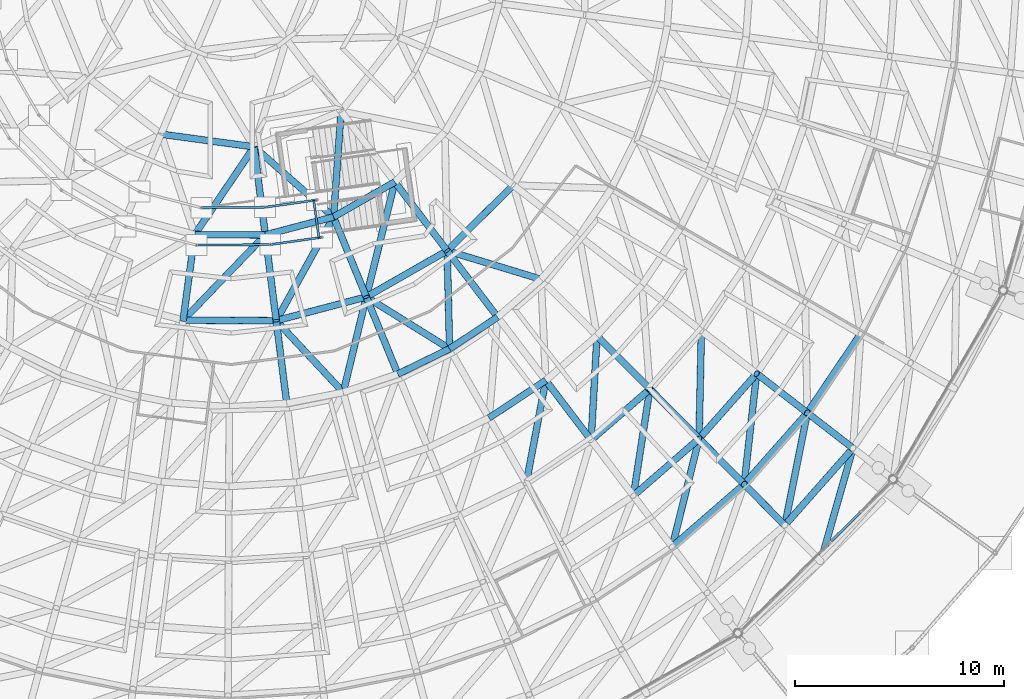
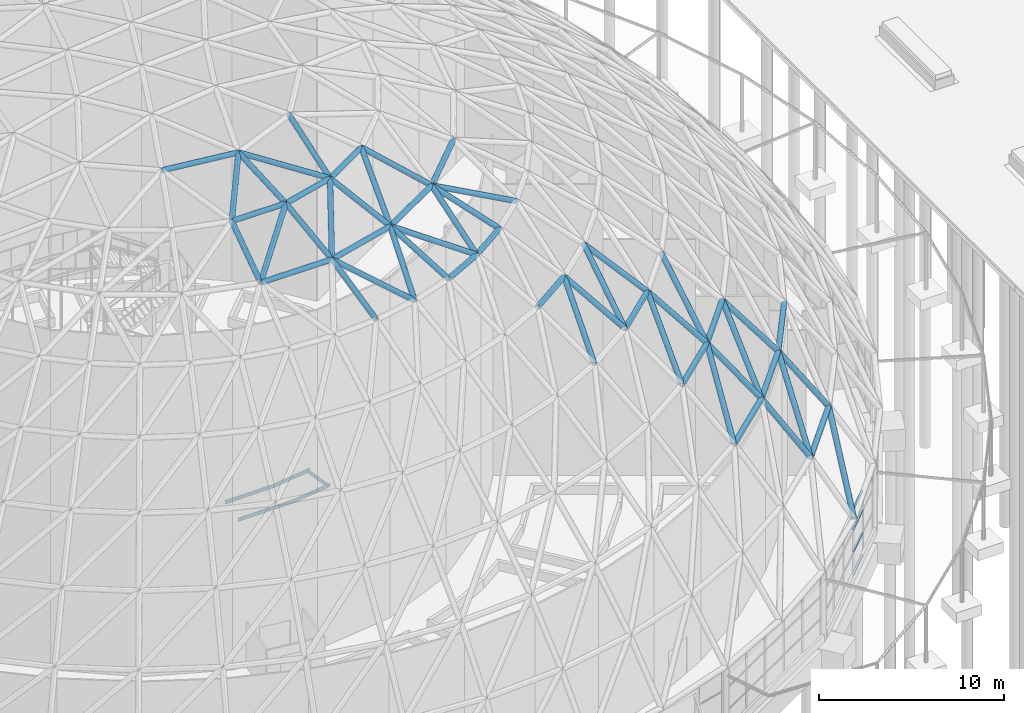
# One storey, part 102 of 226: 56 members, 5 beams, 1 element without a shape of its own.
"""IFC4 building model written with IfcOpenShell, lengths in metres."""

import ifcopenshell
import ifcopenshell.guid

model = None  # the IFC model being written
_history = None  # IfcOwnerHistory: only IFC2X3 demands one
_inside = {}  # id of a spatial element -> (the spatial element, [elements in it])
_under = {}  # id of a project, library or spatial element -> (it, [spatial elements below it])
_declared = {}  # id of a project -> (the project, [libraries it declares])
_typed = {}  # id of a type object -> (the type object, [elements of that type])
_made_of = {}  # id of a material, layer set ... -> (it, [elements and type objects made of it])


def new_model(schema):
    """Start an empty IFC model of exactly this schema.

    Asked for "IFC4X3", IfcOpenShell would pick the latest addendum, in which some entities
    have other attributes; the version numbers below select the first issue.
    IFC2X3 requires an IfcOwnerHistory on every rooted entity: one is made here for all.
    """
    global model, _history
    if schema == "IFC4X3":
        model = ifcopenshell.file(schema_version=(4, 3, 0, 0))
    else:
        model = ifcopenshell.file(schema=schema)
    _inside.clear()
    _under.clear()
    _declared.clear()
    _typed.clear()
    _made_of.clear()
    _history = None
    if model.schema == "IFC2X3":
        org = make("IfcOrganization", Name="unknown")
        user = make(
            "IfcPersonAndOrganization",
            ThePerson=make("IfcPerson", FamilyName="unknown"),
            TheOrganization=org,
        )
        app = make(
            "IfcApplication",
            ApplicationDeveloper=org,
            Version="unknown",
            ApplicationFullName="unknown",
            ApplicationIdentifier="unknown",
        )
        _history = make(
            "IfcOwnerHistory",
            OwningUser=user,
            OwningApplication=app,
            ChangeAction="ADDED",
            CreationDate=0,
        )
    return model


def make(cls, **values):
    """One entity of the class cls with the attributes given. An attribute that is None is left unset."""
    return model.create_entity(
        cls, **{name: value for name, value in values.items() if value is not None}
    )


def rooted(cls, **values):
    """An entity with a GlobalId (a new one), such as an element, a storey or a relation."""
    return make(cls, GlobalId=ifcopenshell.guid.new(), OwnerHistory=_history, **values)


def si_unit(unit_type, name, prefix=None):
    """IfcSIUnit, for example si_unit("LENGTHUNIT", "METRE", prefix="MILLI")."""
    return make("IfcSIUnit", UnitType=unit_type, Prefix=prefix, Name=name)


def assignment(units):
    """IfcUnitAssignment: the units of a project."""
    return None if units is None else make("IfcUnitAssignment", Units=units)


def point(xyz):
    """IfcCartesianPoint."""
    return None if xyz is None else make("IfcCartesianPoint", Coordinates=xyz)


def direction(xyz):
    """IfcDirection."""
    return None if xyz is None else make("IfcDirection", DirectionRatios=xyz)


def frame(location, z_axis=None, x_axis=None):
    """IfcAxis2Placement3D, a coordinate frame: its origin and axes. An axis left out is left unset."""
    return make(
        "IfcAxis2Placement3D",
        Location=point(location),
        Axis=direction(z_axis),
        RefDirection=direction(x_axis),
    )


def frame_2d(location, x_axis=None):
    """IfcAxis2Placement2D, a coordinate frame in the plane: its origin and x axis."""
    return make(
        "IfcAxis2Placement2D", Location=point(location), RefDirection=direction(x_axis)
    )


def origin():
    """The frame at (0, 0, 0) with its axes left unset."""
    return frame((0.0, 0.0, 0.0))


def origin_2d():
    """The frame at (0, 0) in the plane with its x axis left unset."""
    return frame_2d((0.0, 0.0))


def place(relative_to, where):
    """IfcLocalPlacement: puts the frame where relative to a parent placement (None: the world)."""
    return make(
        "IfcLocalPlacement", PlacementRelTo=relative_to, RelativePlacement=where
    )


def context(
    kind, dimensions, precision=None, world=None, true_north=None, identifier=None
):
    """IfcGeometricRepresentationContext, for example the 3D "Model" context."""
    return make(
        "IfcGeometricRepresentationContext",
        ContextIdentifier=identifier,
        ContextType=kind,
        CoordinateSpaceDimension=dimensions,
        Precision=precision,
        WorldCoordinateSystem=world,
        TrueNorth=true_north,
    )


def subcontext(parent, identifier, kind, view, scale=None):
    """IfcGeometricRepresentationSubContext, for example "Body" below "Model"."""
    return make(
        "IfcGeometricRepresentationSubContext",
        ContextIdentifier=identifier,
        ContextType=kind,
        ParentContext=parent,
        TargetScale=scale,
        TargetView=view,
    )


def project(units=None, contexts=None):
    """IfcProject with its units and contexts."""
    return rooted(
        "IfcProject",
        Name="project",
        RepresentationContexts=contexts,
        UnitsInContext=assignment(units),
    )


def spatial(cls, under=None, at=None, **own):
    """A site, building, storey or space (cls), placed at a placement, below another one or the project."""
    s = rooted(cls, ObjectPlacement=at, **own)
    if under is not None:
        _under.setdefault(under.id(), (under, []))[1].append(s)
    return s


def profile(cls, at=None, kind="AREA", **sizes):
    """A parametric profile (cls). Its sizes go by their IFC names, for example OverallWidth=200.0."""
    return make(cls, ProfileType=kind, Position=at, **sizes)


def rectangle(**sizes):
    """IfcRectangleProfileDef."""
    return profile("IfcRectangleProfileDef", **sizes)


def hollow_circle(**sizes):
    """IfcCircleHollowProfileDef."""
    return profile("IfcCircleHollowProfileDef", **sizes)


def i_section(**sizes):
    """IfcIShapeProfileDef."""
    return profile("IfcIShapeProfileDef", **sizes)


def extrude(swept, where, along, depth):
    """IfcExtrudedAreaSolid: the profile swept, set in the frame where, extruded along a direction by depth."""
    return make(
        "IfcExtrudedAreaSolid",
        SweptArea=swept,
        Position=where,
        ExtrudedDirection=direction(along),
        Depth=depth,
    )


def shape(context_of_items, identifier, shape_type, items):
    """IfcShapeRepresentation: the items that make up one representation, for example the "Body"."""
    return make(
        "IfcShapeRepresentation",
        ContextOfItems=context_of_items,
        RepresentationIdentifier=identifier,
        RepresentationType=shape_type,
        Items=items,
    )


def material(Name=None, Category=None):
    """IfcMaterial."""
    return make("IfcMaterial", Name=Name, Category=Category)


def material_profile(
    of_material, cross_section, Name=None, Category=None, Priority=None
):
    """IfcMaterialProfile: a cross section and its material."""
    return make(
        "IfcMaterialProfile",
        Name=Name,
        Material=of_material,
        Profile=cross_section,
        Priority=Priority,
        Category=Category,
    )


def profile_set(profiles, Name=None, composite=None):
    """IfcMaterialProfileSet."""
    return make(
        "IfcMaterialProfileSet",
        Name=Name,
        MaterialProfiles=profiles,
        CompositeProfile=composite,
    )


def made_of(thing, what):
    """Note that an element or type object is made of a material, layer set ...; save() writes the relation."""
    if what is not None:
        _made_of.setdefault(what.id(), (what, []))[1].append(thing)
    return thing


def type_object(cls, material=None, **own):
    """A type object (cls), such as IfcWallType, which elements share."""
    return made_of(rooted(cls, **own), material)


def element(
    cls,
    number,
    at=None,
    inside=None,
    cuts=None,
    type_object=None,
    material=None,
    context=None,
    identifier="Body",
    shape_type=None,
    held_by="IfcProductDefinitionShape",
    body=None,
    shapes=None,
    **own,
):
    """One element of the class cls, such as IfcWall. Its Tag is "e" and its number.

    at: its placement. inside: the storey or other place that contains it. cuts: it is an
    opening in that element (IfcRelVoidsElement). A single representation is given by context,
    identifier, shape_type and body (its items); several are given by shapes. held_by: the class
    of the entity that holds the representations. save() writes the other relations.
    """
    e = rooted(cls, Tag="e%d" % number, ObjectPlacement=at, **own)
    if body is not None:
        shapes = [shape(context, identifier, shape_type, body)]
    if shapes is not None:
        e.Representation = make(held_by, Representations=shapes)
    if inside is not None:
        _inside.setdefault(inside.id(), (inside, []))[1].append(e)
    if cuts is not None:
        rooted(
            "IfcRelVoidsElement", RelatingBuildingElement=cuts, RelatedOpeningElement=e
        )
    if type_object is not None:
        _typed.setdefault(type_object.id(), (type_object, []))[1].append(e)
    return made_of(e, material)


def aggregate(whole, parts):
    """IfcRelAggregates: a whole, such as a stair, and the parts it consists of."""
    return rooted("IfcRelAggregates", RelatingObject=whole, RelatedObjects=parts)


def save(model, path):
    """Write the relations noted so far, then the file.

    IfcRelAggregates (storeys below a building ...), IfcRelContainedInSpatialStructure (elements
    in a storey), IfcRelDefinesByType, IfcRelAssociatesMaterial and IfcRelDeclares: one each for
    every whole, place, type object, material and project.
    """
    for whole, parts in _under.values():
        aggregate(whole, parts)
    for where, things in _inside.values():
        rooted(
            "IfcRelContainedInSpatialStructure",
            RelatedElements=things,
            RelatingStructure=where,
        )
    for kind, things in _typed.values():
        rooted("IfcRelDefinesByType", RelatedObjects=things, RelatingType=kind)
    for what, things in _made_of.values():
        rooted("IfcRelAssociatesMaterial", RelatedObjects=things, RelatingMaterial=what)
    for by, libraries in _declared.values():
        rooted("IfcRelDeclares", RelatingContext=by, RelatedDefinitions=libraries)
    model.write(path)


model = new_model("IFC4")

# Units and contexts
model_context = context("Model", 3, precision=1e-05, world=origin(), true_north=direction((0.0, 1.0)))
body_context = subcontext(model_context, "Body", "Model", "MODEL_VIEW")
ifc_project = project(units=[si_unit("LENGTHUNIT", "METRE"), si_unit("AREAUNIT", "SQUARE_METRE"), si_unit("VOLUMEUNIT", "CUBIC_METRE"), si_unit("PLANEANGLEUNIT", "RADIAN"), si_unit("MASSUNIT", "GRAM", prefix="KILO")], contexts=[model_context])

# Site, building, storey
site_placement = place(None, origin())
site = spatial("IfcSite", under=ifc_project, at=site_placement, CompositionType="ELEMENT")
building_placement = place(site_placement, origin())
building = spatial("IfcBuilding", under=site, at=building_placement, Name="Ceibo Conservatory and Research Tower", CompositionType="ELEMENT")
storey_placement = place(building_placement, origin())
storey = spatial("IfcBuildingStorey", under=building, at=storey_placement, Name="L00", CompositionType="ELEMENT", Elevation=0.0)

# Members
ifc_material_1 = material(Name="Steel ASTM A500 Gr C", Category="steel")
ifc_material_profile_1 = material_profile(ifc_material_1, hollow_circle(Radius=0.161865234375, WallThickness=0.01025390625, at=origin_2d()), Name="CHS 323.9x10.31")
ifc_profile_set_1 = profile_set([ifc_material_profile_1], Name="Steel ASTM A500 Gr C")
member_type_1 = type_object("IfcMemberType", Name="CHS 323.9x10.31", PredefinedType="NOTDEFINED", material=ifc_profile_set_1)
member_1_placement = place(storey_placement, frame((182.446044921875, 81.322021484375, 8.115966796875), z_axis=(0.662634989667, 0.748942501444, 0.0), x_axis=(-0.748942501444, 0.662634989667, 0.0)))
element("IfcMember", 1, at=member_1_placement, inside=storey, type_object=member_type_1, Name="Gridshell member A-C02-42", PredefinedType="CHORD", context=body_context, shape_type="SweptSolid", body=[
    extrude(hollow_circle(Radius=0.161865234375, WallThickness=0.01025390625, at=origin_2d()), origin(), (0.0, 0.0, 1.0), 4.91357421875),
])
for number, where, z_axis, x_axis, name in (
    (2, (177.06689453125, 80.294921875, 11.489013671875), (0.754692097632, 0.65607913987, 0.0), (-0.65607913987, 0.754692097632, 0.0), "Gridshell member A-C03-41"),
    (3, (180.5029296875, 83.281982421875, 11.489013671875), (0.662651395846, 0.748927985579, 0.0), (-0.748927985579, 0.662651395846, 0.0), "Gridshell member A-C03-42"),
):
    element("IfcMember", number, at=place(storey_placement, frame(where, z_axis=z_axis, x_axis=x_axis)), inside=storey, type_object=member_type_1, Name=name, PredefinedType="CHORD", context=body_context, shape_type="SweptSolid", body=[
        extrude(hollow_circle(Radius=0.161865234375, WallThickness=0.01025390625, at=origin_2d()), origin(), (0.0, 0.0, 1.0), 4.552978515625),
    ])
member_2_placement = place(storey_placement, frame((183.52001953125, 86.69189453125, 11.489013671875), z_axis=(0.55922138837, 0.829018358536, 0.0), x_axis=(-0.829018358536, 0.55922138837, 0.0)))
element("IfcMember", 4, at=member_2_placement, inside=storey, type_object=member_type_1, Name="Gridshell member A-C03-43", PredefinedType="CHORD", context=body_context, shape_type="SweptSolid", body=[
    extrude(hollow_circle(Radius=0.161865234375, WallThickness=0.01025390625, at=origin_2d()), origin(), (0.0, 0.0, 1.0), 4.552490234375),
])
member_3_placement = place(storey_placement, frame((175.214111328125, 82.73291015625, 14.591064453125), z_axis=(0.754714371106, 0.656053517669, 0.0), x_axis=(-0.656053517669, 0.754714371106, 0.0)))
element("IfcMember", 5, at=member_3_placement, inside=storey, type_object=member_type_1, Name="Gridshell member A-C04-41", PredefinedType="CHORD", context=body_context, shape_type="SweptSolid", body=[
    extrude(hollow_circle(Radius=0.161865234375, WallThickness=0.01025390625, at=origin_2d()), origin(), (0.0, 0.0, 1.0), 4.15234375),
])
member_4_placement = place(storey_placement, frame((178.347900390625, 85.45703125, 14.591064453125), z_axis=(0.662715987394, 0.748870830018, 0.0), x_axis=(-0.748870830018, 0.662715987394, 0.0)))
element("IfcMember", 6, at=member_4_placement, inside=storey, type_object=member_type_1, Name="Gridshell member A-C04-42", PredefinedType="CHORD", context=body_context, shape_type="SweptSolid", body=[
    extrude(hollow_circle(Radius=0.161865234375, WallThickness=0.01025390625, at=origin_2d()), origin(), (0.0, 0.0, 1.0), 4.1513671875),
])
member_5_placement = place(storey_placement, frame((173.193115234375, 85.389892578125, 17.39501953125), z_axis=(-0.497546703166, 0.654469157346, 0.569313095099), x_axis=(-0.796074204921, -0.60519902533, 0.0)))
element("IfcMember", 7, at=member_5_placement, inside=storey, type_object=member_type_1, Name="Gridshell member A-M41-05", PredefinedType="RAFTER", context=body_context, shape_type="SweptSolid", body=[
    extrude(hollow_circle(Radius=0.161865234375, WallThickness=0.01025390625, at=origin_2d()), origin(), (0.0, 0.0, 1.0), 4.35791015625),
])
for number, where, z_axis, x_axis, name in (
    (8, (175.998046875, 87.826904296875, 17.39501953125), (-0.578830285371, 0.583927397426, 0.569196183467), (-0.71019965967, -0.704000314918, 0.0), "Gridshell member A-M42-05"),
    (9, (158.653076171875, 87.14599609375, 22.012939453125), (-0.115218783885, 0.906010612223, 0.407270674589), (-0.992010476037, -0.126155520817, 0.0), "Gridshell member A-M37-07"),
):
    element("IfcMember", number, at=place(storey_placement, frame(where, z_axis=z_axis, x_axis=x_axis)), inside=storey, type_object=member_type_1, Name=name, PredefinedType="RAFTER", context=body_context, shape_type="SweptSolid", body=[
        extrude(hollow_circle(Radius=0.161865234375, WallThickness=0.01025390625, at=origin_2d()), origin(), (0.0, 0.0, 1.0), 4.358642578125),
    ])
member_6_placement = place(storey_placement, frame((163.9599609375, 88.54296875, 22.012939453125), z_axis=(-0.345728847162, 0.845363878027, 0.407224112703), x_axis=(-0.925586023354, -0.378537334184, 0.0)))
element("IfcMember", 10, at=member_6_placement, inside=storey, type_object=member_type_1, Name="Gridshell member A-M39-07", PredefinedType="RAFTER", context=body_context, shape_type="SweptSolid", body=[
    extrude(hollow_circle(Radius=0.161865234375, WallThickness=0.01025390625, at=origin_2d()), origin(), (0.0, 0.0, 1.0), 4.359130859375),
])
member_7_placement = place(storey_placement, frame((168.72412109375, 91.26611328125, 22.012939453125), z_axis=(-0.552740001496, 0.727053629855, 0.407273262148), x_axis=(-0.796067638667, -0.605207662432, 0.0)))
element("IfcMember", 11, at=member_7_placement, inside=storey, type_object=member_type_1, Name="Gridshell member A-M41-07", PredefinedType="RAFTER", context=body_context, shape_type="SweptSolid", body=[
    extrude(hollow_circle(Radius=0.161865234375, WallThickness=0.01025390625, at=origin_2d()), origin(), (0.0, 0.0, 1.0), 4.358642578125),
])
ifc_material_profile_2 = material_profile(ifc_material_1, hollow_circle(Radius=0.161865234375, WallThickness=0.01416015625, at=origin_2d()), Name="CHS 323.9x14.27")
ifc_profile_set_2 = profile_set([ifc_material_profile_2], Name="Steel ASTM A500 Gr C")
member_type_2 = type_object("IfcMemberType", Name="CHS 323.9x14.27", PredefinedType="NOTDEFINED", material=ifc_profile_set_2)
member_8_placement = place(storey_placement, frame((182.446044921875, 81.322021484375, 8.115966796875), z_axis=(-0.445844698987, 0.449709918767, 0.773940238874), x_axis=(-0.710152044536, -0.704048346097, 0.0)))
element("IfcMember", 12, at=member_8_placement, inside=storey, type_object=member_type_2, Name="Gridshell member A-M42-02", PredefinedType="RAFTER", context=body_context, shape_type="SweptSolid", body=[
    extrude(hollow_circle(Radius=0.161865234375, WallThickness=0.01416015625, at=origin_2d()), origin(), (0.0, 0.0, 1.0), 4.3583984375),
])
member_9_placement = place(storey_placement, frame((185.701904296875, 85.001953125, 8.115966796875), z_axis=(-0.500638166699, 0.387760701565, 0.773952882523), x_axis=(-0.612340896323, -0.790593844328, 0.0)))
element("IfcMember", 13, at=member_9_placement, inside=storey, type_object=member_type_2, Name="Gridshell member A-M43-02", PredefinedType="RAFTER", context=body_context, shape_type="SweptSolid", body=[
    extrude(hollow_circle(Radius=0.161865234375, WallThickness=0.01416015625, at=origin_2d()), origin(), (0.0, 0.0, 1.0), 4.358154296875),
])
member_10_placement = place(storey_placement, frame((180.5029296875, 83.281982421875, 11.489013671875), z_axis=(-0.494427453921, 0.499020526451, 0.711702189817), x_axis=(-0.710368401664, -0.703830046188, 0.0)))
element("IfcMember", 14, at=member_10_placement, inside=storey, type_object=member_type_2, Name="Gridshell member A-M42-03", PredefinedType="RAFTER", context=body_context, shape_type="SweptSolid", body=[
    extrude(hollow_circle(Radius=0.161865234375, WallThickness=0.01416015625, at=origin_2d()), origin(), (0.0, 0.0, 1.0), 4.358642578125),
])
member_11_placement = place(storey_placement, frame((183.52001953125, 86.69189453125, 11.489013671875), z_axis=(-0.55545896567, 0.429982152126, 0.711744818253), x_axis=(-0.612128156679, -0.790758572385, 0.0)))
element("IfcMember", 15, at=member_11_placement, inside=storey, type_object=member_type_2, Name="Gridshell member A-M43-03", PredefinedType="RAFTER", context=body_context, shape_type="SweptSolid", body=[
    extrude(hollow_circle(Radius=0.161865234375, WallThickness=0.01416015625, at=origin_2d()), origin(), (0.0, 0.0, 1.0), 4.3583984375),
])
member_12_placement = place(storey_placement, frame((178.347900390625, 85.45703125, 14.591064453125), z_axis=(-0.539089483325, 0.543682245677, 0.643266775688), x_axis=(-0.710099708158, -0.704101132277, 0.0)))
element("IfcMember", 16, at=member_12_placement, inside=storey, type_object=member_type_2, Name="Gridshell member A-M42-04", PredefinedType="RAFTER", context=body_context, shape_type="SweptSolid", body=[
    extrude(hollow_circle(Radius=0.161865234375, WallThickness=0.01416015625, at=origin_2d()), origin(), (0.0, 0.0, 1.0), 4.35888671875),
])
ifc_material_profile_3 = material_profile(ifc_material_1, hollow_circle(Radius=0.161865234375, WallThickness=0.00634765625, at=origin_2d()), Name="CHS 323.9x6.35")
ifc_profile_set_3 = profile_set([ifc_material_profile_3], Name="Steel ASTM A500 Gr C")
member_type_3 = type_object("IfcMemberType", Name="CHS 323.9x6.35", PredefinedType="NOTDEFINED", material=ifc_profile_set_3)
member_13_placement = place(storey_placement, frame((153.701904296875, 91.114990234375, 23.7880859375), z_axis=(0.999989876018, -0.004499762379, 0.0), x_axis=(0.004499762379, 0.999989876018, 0.0)))
element("IfcMember", 17, at=member_13_placement, inside=storey, type_object=member_type_3, Name="Gridshell member A-C08-18", PredefinedType="CHORD", context=body_context, shape_type="SweptSolid", body=[
    extrude(hollow_circle(Radius=0.161865234375, WallThickness=0.00634765625, at=origin_2d()), origin(), (0.0, 0.0, 1.0), 4.448974609375),
])
member_14_placement = place(storey_placement, frame((158.15087890625, 91.094970703125, 23.7880859375), z_axis=(0.967021912432, 0.254693189694, 0.0), x_axis=(-0.254693189694, 0.967021912432, 0.0)))
element("IfcMember", 18, at=member_14_placement, inside=storey, type_object=member_type_3, Name="Gridshell member A-C08-19", PredefinedType="CHORD", context=body_context, shape_type="SweptSolid", body=[
    extrude(hollow_circle(Radius=0.161865234375, WallThickness=0.00634765625, at=origin_2d()), origin(), (0.0, 0.0, 1.0), 4.44873046875),
])
member_15_placement = place(storey_placement, frame((162.452880859375, 92.22802734375, 23.7880859375), z_axis=(0.868229631589, 0.496162581046, 0.0), x_axis=(-0.496162581046, 0.868229631589, 0.0)))
element("IfcMember", 19, at=member_15_placement, inside=storey, type_object=member_type_3, Name="Gridshell member A-C08-20", PredefinedType="CHORD", context=body_context, shape_type="SweptSolid", body=[
    extrude(hollow_circle(Radius=0.161865234375, WallThickness=0.00634765625, at=origin_2d()), origin(), (0.0, 0.0, 1.0), 4.4482421875),
])
member_16_placement = place(storey_placement, frame((166.31494140625, 94.43505859375, 23.7880859375), z_axis=(0.710173495801, 0.704026708202, 0.0), x_axis=(-0.704026708202, 0.710173495801, 0.0)))
element("IfcMember", 20, at=member_16_placement, inside=storey, type_object=member_type_3, Name="Gridshell member A-C08-21", PredefinedType="CHORD", context=body_context, shape_type="SweptSolid", body=[
    extrude(hollow_circle(Radius=0.161865234375, WallThickness=0.00634765625, at=origin_2d()), origin(), (0.0, 0.0, 1.0), 4.448486328125),
])
member_17_placement = place(storey_placement, frame((154.259033203125, 95.2060546875, 25.18408203125), z_axis=(0.999989912122, -0.004491731837, 0.0), x_axis=(0.004491731837, 0.999989912122, 0.0)))
element("IfcMember", 21, at=member_17_placement, inside=storey, type_object=member_type_3, Name="Gridshell member A-C09-18", PredefinedType="CHORD", context=body_context, shape_type="SweptSolid", body=[
    extrude(hollow_circle(Radius=0.161865234375, WallThickness=0.00634765625, at=origin_2d()), origin(), (0.0, 0.0, 1.0), 3.369873046875),
])
member_18_placement = place(storey_placement, frame((157.62890625, 95.19091796875, 25.18408203125), z_axis=(0.967055772365, 0.254564595212, 0.0), x_axis=(-0.254564595212, 0.967055772365, 0.0)))
element("IfcMember", 22, at=member_18_placement, inside=storey, type_object=member_type_3, Name="Gridshell member A-C09-19", PredefinedType="CHORD", context=body_context, shape_type="SweptSolid", body=[
    extrude(hollow_circle(Radius=0.161865234375, WallThickness=0.00634765625, at=origin_2d()), origin(), (0.0, 0.0, 1.0), 3.37109375),
])
member_19_placement = place(storey_placement, frame((160.888916015625, 96.049072265625, 25.18408203125), z_axis=(0.868207488434, 0.496201327112, 0.0), x_axis=(-0.496201327112, 0.868207488434, 0.0)))
element("IfcMember", 23, at=member_19_placement, inside=storey, type_object=member_type_3, Name="Gridshell member A-C09-20", PredefinedType="CHORD", context=body_context, shape_type="SweptSolid", body=[
    extrude(hollow_circle(Radius=0.161865234375, WallThickness=0.00634765625, at=origin_2d()), origin(), (0.0, 0.0, 1.0), 3.371337890625),
])
member_20_placement = place(storey_placement, frame((152.64697265625, 100.00390625, 26.18994140625), z_axis=(0.990843734744, -0.135013678267, 0.0), x_axis=(0.135013678267, 0.990843734744, 0.0)))
element("IfcMember", 24, at=member_20_placement, inside=storey, type_object=member_type_3, Name="Gridshell member A-C10-09", PredefinedType="CHORD", context=body_context, shape_type="SweptSolid", body=[
    extrude(hollow_circle(Radius=0.161865234375, WallThickness=0.00634765625, at=origin_2d()), origin(), (0.0, 0.0, 1.0), 4.488037109375),
])
member_21_placement = place(storey_placement, frame((170.094970703125, 83.339111328125, 17.39501953125), z_axis=(0.166865479678, 0.879756514282, 0.445179050798), x_axis=(-0.982483435739, 0.186349935601, 0.0)))
element("IfcMember", 25, at=member_21_placement, inside=storey, type_object=member_type_3, Name="Gridshell diagonal member A-D05-40", PredefinedType="BRACE", context=body_context, shape_type="SweptSolid", body=[
    extrude(hollow_circle(Radius=0.161865234375, WallThickness=0.00634765625, at=origin_2d()), origin(), (0.0, 0.0, 1.0), 5.572998046875),
])
member_22_placement = place(storey_placement, frame((173.193115234375, 85.389892578125, 17.39501953125), z_axis=(0.05059923901, 0.894007506898, 0.445185685554), x_axis=(-0.998402158224, 0.056507791089, 0.0)))
element("IfcMember", 26, at=member_22_placement, inside=storey, type_object=member_type_3, Name="Gridshell diagonal member A-D05-41", PredefinedType="BRACE", context=body_context, shape_type="SweptSolid", body=[
    extrude(hollow_circle(Radius=0.161865234375, WallThickness=0.00634765625, at=origin_2d()), origin(), (0.0, 0.0, 1.0), 5.57275390625),
])
member_23_placement = place(storey_placement, frame((161.35205078125, 87.6708984375, 22.012939453125), z_axis=(-0.638666237628, 0.68313712498, 0.354159717342), x_axis=(-0.730483444429, -0.682930404518, 0.0)))
element("IfcMember", 27, at=member_23_placement, inside=storey, type_object=member_type_3, Name="Gridshell diagonal member A-D07-38", PredefinedType="BRACE", context=body_context, shape_type="SweptSolid", body=[
    extrude(hollow_circle(Radius=0.161865234375, WallThickness=0.00634765625, at=origin_2d()), origin(), (0.0, 0.0, 1.0), 5.01220703125),
])
member_24_placement = place(storey_placement, frame((161.35205078125, 87.6708984375, 22.012939453125), z_axis=(0.219594077661, 0.909058117901, 0.354107016782), x_axis=(-0.972041645367, 0.234808517034, 0.0)))
element("IfcMember", 28, at=member_24_placement, inside=storey, type_object=member_type_3, Name="Gridshell diagonal member A-D07-39", PredefinedType="BRACE", context=body_context, shape_type="SweptSolid", body=[
    extrude(hollow_circle(Radius=0.161865234375, WallThickness=0.00634765625, at=origin_2d()), origin(), (0.0, 0.0, 1.0), 5.012939453125),
])
member_25_placement = place(storey_placement, frame((166.430908203125, 89.7490234375, 22.012939453125), z_axis=(-0.793682215498, 0.494602259492, 0.354171068423), x_axis=(-0.528884186976, -0.848694006558, 0.0)))
element("IfcMember", 29, at=member_25_placement, inside=storey, type_object=member_type_3, Name="Gridshell diagonal member A-D07-40", PredefinedType="BRACE", context=body_context, shape_type="SweptSolid", body=[
    extrude(hollow_circle(Radius=0.161865234375, WallThickness=0.00634765625, at=origin_2d()), origin(), (0.0, 0.0, 1.0), 5.01220703125),
])
member_26_placement = place(storey_placement, frame((166.430908203125, 89.7490234375, 22.012939453125), z_axis=(-0.02313627449, 0.934900321185, 0.354155477511), x_axis=(-0.999693925733, -0.024739742353, 0.0)))
element("IfcMember", 30, at=member_26_placement, inside=storey, type_object=member_type_3, Name="Gridshell diagonal member A-D07-41", PredefinedType="BRACE", context=body_context, shape_type="SweptSolid", body=[
    extrude(hollow_circle(Radius=0.161865234375, WallThickness=0.00634765625, at=origin_2d()), origin(), (0.0, 0.0, 1.0), 5.012451171875),
])
member_27_placement = place(storey_placement, frame((170.800048828125, 93.070068359375, 22.012939453125), z_axis=(-0.894688815476, 0.272288126249, 0.354106057228), x_axis=(-0.29115332696, -0.956676403075, 0.0)))
element("IfcMember", 31, at=member_27_placement, inside=storey, type_object=member_type_3, Name="Gridshell diagonal member A-D07-42", PredefinedType="BRACE", context=body_context, shape_type="SweptSolid", body=[
    extrude(hollow_circle(Radius=0.161865234375, WallThickness=0.00634765625, at=origin_2d()), origin(), (0.0, 0.0, 1.0), 5.012939453125),
])
member_28_placement = place(storey_placement, frame((153.701904296875, 91.114990234375, 23.7880859375), z_axis=(0.673640377299, 0.699187199192, 0.239470045222), x_axis=(-0.72014058766, 0.693828173256, 0.0)))
element("IfcMember", 32, at=member_28_placement, inside=storey, type_object=member_type_3, Name="Gridshell diagonal member A-D08-18", PredefinedType="BRACE", context=body_context, shape_type="SweptSolid", body=[
    extrude(hollow_circle(Radius=0.161865234375, WallThickness=0.00634765625, at=origin_2d()), origin(), (0.0, 0.0, 1.0), 5.82958984375),
])
for number, where, z_axis, x_axis, name in (
    (33, (158.15087890625, 91.094970703125, 23.7880859375), (0.469647025797, 0.849761698392, 0.239450886626), (-0.875223275456, 0.483719152091, 0.0), "Gridshell diagonal member A-D08-19"),
    (34, (162.452880859375, 92.22802734375, 23.7880859375), (0.233794785307, 0.942339970226, 0.239448071357), (-0.970574794201, 0.240799852287, 0.0), "Gridshell diagonal member A-D08-20"),
):
    element("IfcMember", number, at=place(storey_placement, frame(where, z_axis=z_axis, x_axis=x_axis)), inside=storey, type_object=member_type_3, Name=name, PredefinedType="BRACE", context=body_context, shape_type="SweptSolid", body=[
        extrude(hollow_circle(Radius=0.161865234375, WallThickness=0.00634765625, at=origin_2d()), origin(), (0.0, 0.0, 1.0), 5.830078125),
    ])
member_29_placement = place(storey_placement, frame((154.259033203125, 95.2060546875, 25.18408203125), z_axis=(0.549461221124, 0.812456869333, 0.194951793923), x_axis=(-0.828350576656, 0.560210069664, 0.0)))
element("IfcMember", 35, at=member_29_placement, inside=storey, type_object=member_type_3, Name="Gridshell diagonal member A-D09-19", PredefinedType="BRACE", context=body_context, shape_type="SweptSolid", body=[
    extrude(hollow_circle(Radius=0.161865234375, WallThickness=0.00634765625, at=origin_2d()), origin(), (0.0, 0.0, 1.0), 5.159423828125),
])
member_30_placement = place(storey_placement, frame((160.888916015625, 96.049072265625, 25.18408203125), z_axis=(-0.735414595118, 0.648975939348, 0.194924609617), x_axis=(-0.661667902123, -0.749797030736, 0.0)))
element("IfcMember", 36, at=member_30_placement, inside=storey, type_object=member_type_3, Name="Gridshell diagonal member A-D09-20", PredefinedType="BRACE", context=body_context, shape_type="SweptSolid", body=[
    extrude(hollow_circle(Radius=0.161865234375, WallThickness=0.00634765625, at=origin_2d()), origin(), (0.0, 0.0, 1.0), 5.16015625),
])
member_31_placement = place(storey_placement, frame((160.888916015625, 96.049072265625, 25.18408203125), z_axis=(0.069779748456, 0.978335727506, 0.194910212637), x_axis=(-0.997466039713, 0.071144217049, 0.0)))
element("IfcMember", 37, at=member_31_placement, inside=storey, type_object=member_type_3, Name="Gridshell diagonal member A-D09-21", PredefinedType="BRACE", context=body_context, shape_type="SweptSolid", body=[
    extrude(hollow_circle(Radius=0.161865234375, WallThickness=0.00634765625, at=origin_2d()), origin(), (0.0, 0.0, 1.0), 5.16064453125),
])
ifc_material_profile_4 = material_profile(ifc_material_1, hollow_circle(Radius=0.161865234375, WallThickness=0.00830078125, at=origin_2d()), Name="CHS 323.9x8.38")
ifc_profile_set_4 = profile_set([ifc_material_profile_4], Name="Steel ASTM A500 Gr C")
member_type_4 = type_object("IfcMemberType", Name="CHS 323.9x8.38", PredefinedType="NOTDEFINED", material=ifc_profile_set_4)
member_32_placement = place(storey_placement, frame((173.193115234375, 85.389892578125, 17.39501953125), z_axis=(0.754879873564, 0.655863077545, 0.0), x_axis=(-0.655863077545, 0.754879873564, 0.0)))
element("IfcMember", 38, at=member_32_placement, inside=storey, type_object=member_type_4, Name="Gridshell member A-C05-41", PredefinedType="CHORD", context=body_context, shape_type="SweptSolid", body=[
    extrude(hollow_circle(Radius=0.161865234375, WallThickness=0.00830078125, at=origin_2d()), origin(), (0.0, 0.0, 1.0), 3.7158203125),
])
member_33_placement = place(storey_placement, frame((168.31689453125, 86.449951171875, 19.8759765625), z_axis=(0.833942382411, 0.551851522439, 0.0), x_axis=(-0.551851522439, 0.833942382411, 0.0)))
element("IfcMember", 39, at=member_33_placement, inside=storey, type_object=member_type_4, Name="Gridshell member A-C06-40", PredefinedType="CHORD", context=body_context, shape_type="SweptSolid", body=[
    extrude(hollow_circle(Radius=0.161865234375, WallThickness=0.00830078125, at=origin_2d()), origin(), (0.0, 0.0, 1.0), 3.247314453125),
])
for number, where, z_axis, x_axis, name in (
    (40, (163.9599609375, 88.54296875, 22.012939453125), (0.898666017803, 0.438633546877, 0.0), (-0.438633546877, 0.898666017803, 0.0), "Gridshell member A-C07-39"),
    (41, (166.430908203125, 89.7490234375, 22.012939453125), (0.834012120733, 0.551746121392, 0.0), (-0.551746121392, 0.834012120733, 0.0), "Gridshell member A-C07-40"),
):
    element("IfcMember", number, at=place(storey_placement, frame(where, z_axis=z_axis, x_axis=x_axis)), inside=storey, type_object=member_type_4, Name=name, PredefinedType="CHORD", context=body_context, shape_type="SweptSolid", body=[
        extrude(hollow_circle(Radius=0.161865234375, WallThickness=0.00830078125, at=origin_2d()), origin(), (0.0, 0.0, 1.0), 2.74951171875),
    ])
member_34_placement = place(storey_placement, frame((184.160888671875, 79.593017578125, 4.5), z_axis=(0.230473802394, 0.808958664772, 0.54080283385), x_axis=(-0.961730074572, 0.273998656317, 0.0)))
element("IfcMember", 42, at=member_34_placement, inside=storey, type_object=member_type_4, Name="Gridshell diagonal member A-D01-42", PredefinedType="BRACE", context=body_context, shape_type="SweptSolid", body=[
    extrude(hollow_circle(Radius=0.161865234375, WallThickness=0.00830078125, at=origin_2d()), origin(), (0.0, 0.0, 1.0), 6.686279296875),
])
member_35_placement = place(storey_placement, frame((182.446044921875, 81.322021484375, 8.115966796875), z_axis=(0.166982182668, 0.834910913338, 0.524443245223), x_axis=(-0.980580675691, 0.196116135138, 0.0)))
element("IfcMember", 43, at=member_35_placement, inside=storey, type_object=member_type_4, Name="Gridshell diagonal member A-D02-42", PredefinedType="BRACE", context=body_context, shape_type="SweptSolid", body=[
    extrude(hollow_circle(Radius=0.161865234375, WallThickness=0.00830078125, at=origin_2d()), origin(), (0.0, 0.0, 1.0), 6.431640625),
])
member_36_placement = place(storey_placement, frame((177.06689453125, 80.294921875, 11.489013671875), z_axis=(0.208050184441, 0.838386335016, 0.503808965792), x_axis=(-0.970562259884, 0.24085036784, 0.0)))
element("IfcMember", 44, at=member_36_placement, inside=storey, type_object=member_type_4, Name="Gridshell diagonal member A-D03-41", PredefinedType="BRACE", context=body_context, shape_type="SweptSolid", body=[
    extrude(hollow_circle(Radius=0.161865234375, WallThickness=0.00830078125, at=origin_2d()), origin(), (0.0, 0.0, 1.0), 6.1572265625),
])
member_37_placement = place(storey_placement, frame((180.5029296875, 83.281982421875, 11.489013671875), z_axis=(0.09684490436, 0.858318699865, 0.503894903686), x_axis=(-0.993694729652, 0.112119508839, 0.0)))
element("IfcMember", 45, at=member_37_placement, inside=storey, type_object=member_type_4, Name="Gridshell diagonal member A-D03-42", PredefinedType="BRACE", context=body_context, shape_type="SweptSolid", body=[
    extrude(hollow_circle(Radius=0.161865234375, WallThickness=0.00830078125, at=origin_2d()), origin(), (0.0, 0.0, 1.0), 6.15625),
])
member_38_placement = place(storey_placement, frame((175.214111328125, 82.73291015625, 14.591064453125), z_axis=(0.13361039832, 0.868197122688, 0.477893311961), x_axis=(-0.988364577452, 0.152103458337, 0.0)))
element("IfcMember", 46, at=member_38_placement, inside=storey, type_object=member_type_4, Name="Gridshell diagonal member A-D04-41", PredefinedType="BRACE", context=body_context, shape_type="SweptSolid", body=[
    extrude(hollow_circle(Radius=0.161865234375, WallThickness=0.00830078125, at=origin_2d()), origin(), (0.0, 0.0, 1.0), 5.867431640625),
])
member_39_placement = place(storey_placement, frame((178.347900390625, 85.45703125, 14.591064453125), z_axis=(0.019098139666, 0.878223167616, 0.477869573131), x_axis=(-0.999763632178, 0.021741199942, 0.0)))
element("IfcMember", 47, at=member_39_placement, inside=storey, type_object=member_type_4, Name="Gridshell diagonal member A-D04-42", PredefinedType="BRACE", context=body_context, shape_type="SweptSolid", body=[
    extrude(hollow_circle(Radius=0.161865234375, WallThickness=0.00830078125, at=origin_2d()), origin(), (0.0, 0.0, 1.0), 5.86767578125),
])
member_40_placement = place(storey_placement, frame((153.701904296875, 91.114990234375, 23.7880859375), z_axis=(0.127827572704, 0.938653214636, 0.320297134409), x_axis=(-0.990854260353, 0.134936409985, 0.0)))
element("IfcMember", 48, at=member_40_placement, inside=storey, type_object=member_type_4, Name="Gridshell member A-M18-08", PredefinedType="RAFTER", context=body_context, shape_type="SweptSolid", body=[
    extrude(hollow_circle(Radius=0.161865234375, WallThickness=0.00830078125, at=origin_2d()), origin(), (0.0, 0.0, 1.0), 4.3583984375),
])
member_41_placement = place(storey_placement, frame((158.15087890625, 91.094970703125, 23.7880859375), z_axis=(-0.119754902644, 0.939723106482, 0.320279950102), x_axis=(-0.991977567865, -0.126414021583, 0.0)))
element("IfcMember", 49, at=member_41_placement, inside=storey, type_object=member_type_4, Name="Gridshell member A-M19-08", PredefinedType="RAFTER", context=body_context, shape_type="SweptSolid", body=[
    extrude(hollow_circle(Radius=0.161865234375, WallThickness=0.00830078125, at=origin_2d()), origin(), (0.0, 0.0, 1.0), 4.358642578125),
])
member_42_placement = place(storey_placement, frame((162.452880859375, 92.22802734375, 23.7880859375), z_axis=(-0.358843704999, 0.876719142512, 0.320304137556), x_axis=(-0.925478180129, -0.378800921469, 0.0)))
element("IfcMember", 50, at=member_42_placement, inside=storey, type_object=member_type_4, Name="Gridshell member A-M20-08", PredefinedType="RAFTER", context=body_context, shape_type="SweptSolid", body=[
    extrude(hollow_circle(Radius=0.161865234375, WallThickness=0.00830078125, at=origin_2d()), origin(), (0.0, 0.0, 1.0), 4.3583984375),
])
for number, where, z_axis, x_axis, name in (
    (51, (166.31494140625, 94.43505859375, 23.7880859375), (-0.573354431608, 0.754110073539, 0.320285330201), (-0.79604482199, -0.605237673467, 0.0), "Gridshell member A-M21-08"),
    (52, (157.62890625, 95.19091796875, 25.18408203125), (-0.122726956448, 0.965235469423, 0.23077821112), (-0.992013504095, -0.126131707722, 0.0), "Gridshell member A-M19-09"),
):
    element("IfcMember", number, at=place(storey_placement, frame(where, z_axis=z_axis, x_axis=x_axis)), inside=storey, type_object=member_type_4, Name=name, PredefinedType="RAFTER", context=body_context, shape_type="SweptSolid", body=[
        extrude(hollow_circle(Radius=0.161865234375, WallThickness=0.00830078125, at=origin_2d()), origin(), (0.0, 0.0, 1.0), 4.358642578125),
    ])

# Curtain wall, members
ifc_material_2 = material(Name="Aluminium and glass", Category="aluminium")
curtain_wall_type = type_object("IfcCurtainWallType", Name="Drum curtain wall", PredefinedType="NOTDEFINED", material=ifc_material_2)
curtain_wall_placement = place(storey_placement, origin())
curtain_wall = element("IfcCurtainWall", 53, at=curtain_wall_placement, inside=storey, type_object=curtain_wall_type, Name="Drum curtain wall A-CW21", PredefinedType="NOTDEFINED")
ifc_material_3 = material(Name="Aluminium", Category="aluminium")
ifc_material_profile_5 = material_profile(ifc_material_3, rectangle(XDim=0.1201171875, YDim=0.06005859375, at=origin_2d()), Name="AL 60x120")
ifc_profile_set_5 = profile_set([ifc_material_profile_5], Name="Aluminium")
member_type_5 = type_object("IfcMemberType", Name="Drum transom 60x120", PredefinedType="USERDEFINED", material=ifc_profile_set_5)
member_43_placement = place(storey_placement, frame((184.65380859375, 80.563232421875, 0.030029296875), z_axis=(0.710172003657, 0.704028213371, 0.0), x_axis=(-0.704028213371, 0.710172003657, 0.0)))
member_43 = element("IfcMember", 54, at=member_43_placement, type_object=member_type_5, Name="A-CW21 transom 4.1", ObjectType="TRANSOM", PredefinedType="USERDEFINED", context=body_context, shape_type="SweptSolid", body=[
    extrude(rectangle(XDim=0.1201171875, YDim=0.06005859375, at=origin_2d()), origin(), (0.0, 0.0, 1.0), 1.947265625),
])
member_44_placement = place(storey_placement, frame((184.65380859375, 80.563232421875, 1.530029296875), z_axis=(0.710172003657, 0.704028213371, 0.0), x_axis=(-0.704028213371, 0.710172003657, 0.0)))
member_44 = element("IfcMember", 55, at=member_44_placement, type_object=member_type_5, Name="A-CW21 transom 4.2", ObjectType="TRANSOM", PredefinedType="USERDEFINED", context=body_context, shape_type="SweptSolid", body=[
    extrude(rectangle(XDim=0.1201171875, YDim=0.06005859375, at=origin_2d()), origin(), (0.0, 0.0, 1.0), 1.947265625),
])
member_45_placement = place(storey_placement, frame((184.65380859375, 80.563232421875, 3.014892578125), z_axis=(0.710172003657, 0.704028213371, 0.0), x_axis=(-0.704028213371, 0.710172003657, 0.0)))
member_45 = element("IfcMember", 56, at=member_45_placement, type_object=member_type_5, Name="A-CW21 transom 4.3", ObjectType="TRANSOM", PredefinedType="USERDEFINED", context=body_context, shape_type="SweptSolid", body=[
    extrude(rectangle(XDim=0.1201171875, YDim=0.06005859375, at=origin_2d()), origin(), (0.0, 0.0, 1.0), 1.947265625),
])
member_46_placement = place(storey_placement, frame((184.65380859375, 80.563232421875, 4.30810546875), z_axis=(0.710172003657, 0.704028213371, 0.0), x_axis=(-0.704028213371, 0.710172003657, 0.0)))
member_46 = element("IfcMember", 57, at=member_46_placement, type_object=member_type_5, Name="A-CW21 transom 4.4", ObjectType="TRANSOM", PredefinedType="USERDEFINED", context=body_context, shape_type="SweptSolid", body=[
    extrude(rectangle(XDim=0.1201171875, YDim=0.06005859375, at=origin_2d()), origin(), (0.0, 0.0, 1.0), 1.947265625),
])
aggregate(curtain_wall, [member_43, member_44, member_45, member_46])

# Beams
ifc_material_4 = material(Name="Steel S355J2", Category="steel")
ifc_material_profile_6 = material_profile(ifc_material_4, i_section(OverallWidth=0.10009765625, OverallDepth=0.199951171875, WebThickness=0.005615234375, FlangeThickness=0.008544921875, at=origin_2d()), Name="IPE 200")
ifc_profile_set_6 = profile_set([ifc_material_profile_6], Name="Steel S355J2")
beam_type = type_object("IfcBeamType", Name="IPE 200 walkway beam", PredefinedType="BEAM", material=ifc_profile_set_6)
beam_1_placement = place(storey_placement, frame((154.34912109375, 94.7021484375, 5.699951171875), z_axis=(0.999967560097, 0.008054734878, 0.0), x_axis=(-0.008054734878, 0.999967560097, 0.0)))
element("IfcBeam", 58, at=beam_1_placement, inside=storey, type_object=beam_type, Name="Walkway beam WK-B13O", PredefinedType="BEAM", context=body_context, shape_type="SweptSolid", body=[
    extrude(i_section(OverallWidth=0.10009765625, OverallDepth=0.199951171875, WebThickness=0.005615234375, FlangeThickness=0.008544921875, at=origin_2d()), origin(), (0.0, 0.0, 1.0), 3.515869140625),
])
beam_2_placement = place(storey_placement, frame((154.57080078125, 96.48828125, 5.699951171875), z_axis=(0.999967185374, 0.008101121819, 0.0), x_axis=(-0.008101121819, 0.999967185374, 0.0)))
element("IfcBeam", 59, at=beam_2_placement, inside=storey, type_object=beam_type, Name="Walkway beam WK-B13I", PredefinedType="BEAM", context=body_context, shape_type="SweptSolid", body=[
    extrude(i_section(OverallWidth=0.10009765625, OverallDepth=0.199951171875, WebThickness=0.005615234375, FlangeThickness=0.008544921875, at=origin_2d()), origin(), (0.0, 0.0, 1.0), 3.043701171875),
])
for number, where, z_axis, x_axis, name in (
    (60, (160.340576171875, 95.078369140625, 5.699951171875), (-0.990269200152, -0.139165050317, 0.0), (0.139165050317, -0.990269200152, 0.0), "Walkway beam WK-PB2O"),
    (61, (160.090087890625, 96.86083984375, 5.699951171875), (-0.990269200152, -0.139165050317, 0.0), (0.139165050317, -0.990269200152, 0.0), "Walkway beam WK-PB2I"),
):
    element("IfcBeam", number, at=place(storey_placement, frame(where, z_axis=z_axis, x_axis=x_axis)), inside=storey, type_object=beam_type, Name=name, PredefinedType="BEAM", context=body_context, shape_type="SweptSolid", body=[
        extrude(i_section(OverallWidth=0.10009765625, OverallDepth=0.199951171875, WebThickness=0.005615234375, FlangeThickness=0.008544921875, at=origin_2d()), origin(), (0.0, 0.0, 1.0), 2.5),
    ])
beam_3_placement = place(storey_placement, frame((160.192138671875, 95.057373046875, 5.699951171875), z_axis=(-0.139161311926, 0.990269725511, 0.0), x_axis=(-0.990269725511, -0.139161311926, 0.0)))
element("IfcBeam", 62, at=beam_3_placement, inside=storey, type_object=beam_type, Name="Walkway beam WK-PX2", PredefinedType="BEAM", context=body_context, shape_type="SweptSolid", body=[
    extrude(i_section(OverallWidth=0.10009765625, OverallDepth=0.199951171875, WebThickness=0.005615234375, FlangeThickness=0.008544921875, at=origin_2d()), origin(), (0.0, 0.0, 1.0), 1.800048828125),
])

save(model, "model.ifc")
